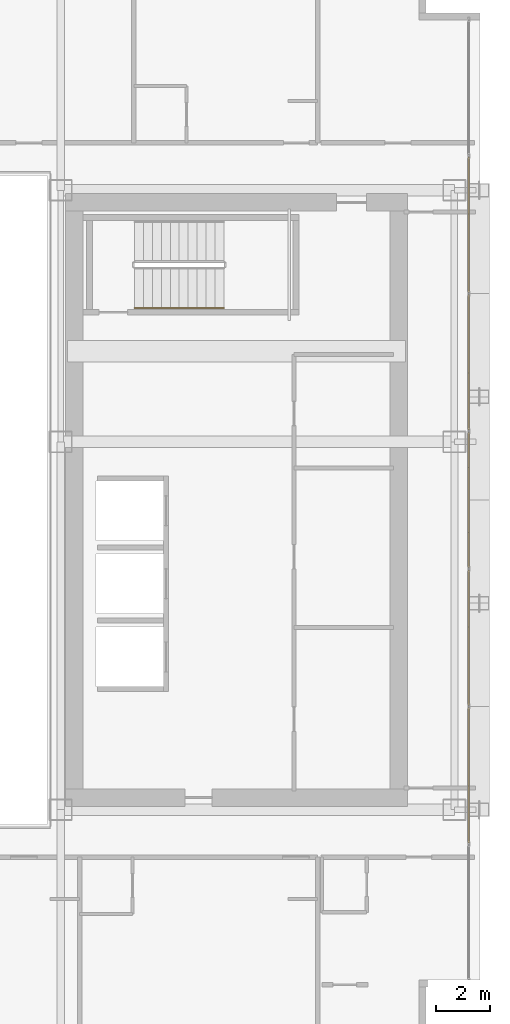
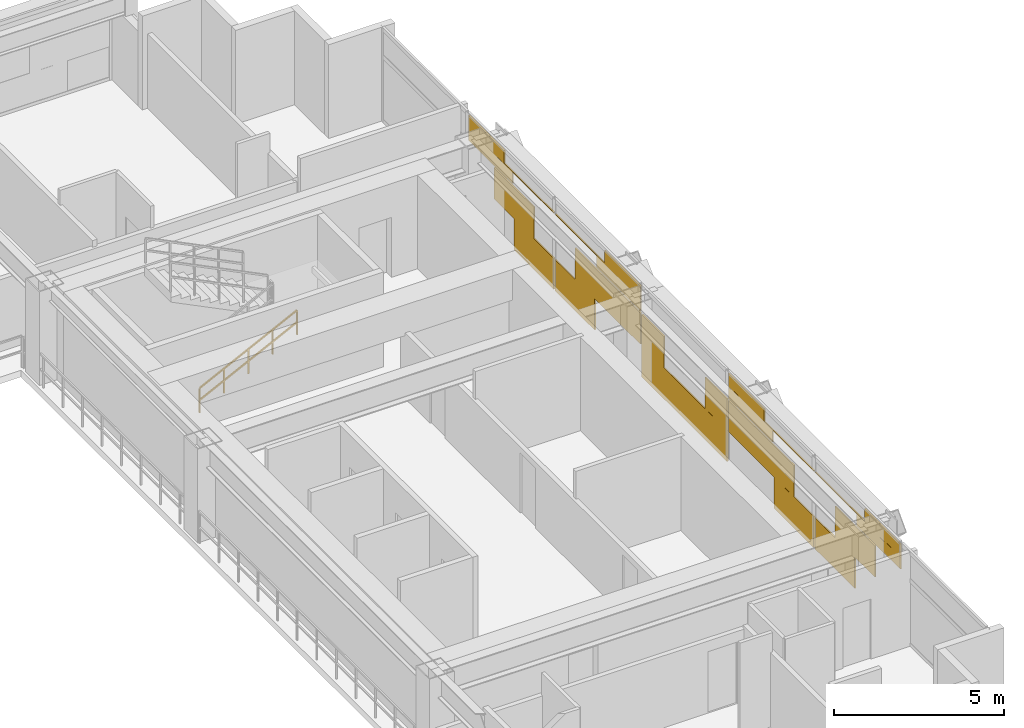
# One storey, part 34 of 35: 1 covering, 1 railing.
"""IFC4 building model written with IfcOpenShell, lengths in metres."""

from ifc_helpers import new_model, si_unit, direction, frame, origin, origin_2d, place, context, subcontext, project, spatial, rectangle, extrude, material, layer, layer_set, type_object, element, save


model = new_model("IFC4")

# Units and contexts
model_context = context("Model", 3, precision=1e-05, world=origin(), true_north=direction((0.0, 1.0)))
body_context = subcontext(model_context, "Body", "Model", "MODEL_VIEW")
ifc_project = project(units=[si_unit("LENGTHUNIT", "METRE"), si_unit("AREAUNIT", "SQUARE_METRE"), si_unit("VOLUMEUNIT", "CUBIC_METRE"), si_unit("PLANEANGLEUNIT", "RADIAN"), si_unit("MASSUNIT", "GRAM", prefix="KILO")], contexts=[model_context])

# Site, building, storey
site_placement = place(None, origin())
site = spatial("IfcSite", under=ifc_project, at=site_placement, CompositionType="ELEMENT")
building_placement = place(site_placement, origin())
building = spatial("IfcBuilding", under=site, at=building_placement, Name="Ocotamira Hotel", CompositionType="ELEMENT")
storey_placement = place(building_placement, frame((0.0, 0.0, 115.199951171875)))
storey = spatial("IfcBuildingStorey", under=building, at=storey_placement, Name="L28", CompositionType="ELEMENT", Elevation=115.199951171875)

# Covering
ifc_material_1 = material(Name="Insulated pale-metal aluminium spandrel panel", Category="aluminium")
ifc_layer = layer(ifc_material_1, 0.044921875)
ifc_layer_set = layer_set([ifc_layer], Name="Insulated pale-metal aluminium spandrel panel")
covering_type = type_object("IfcCoveringType", Name="COV-INFILL-45", PredefinedType="CLADDING", material=ifc_layer_set)
covering_placement = place(storey_placement, origin())
element("IfcCovering", 1, at=covering_placement, inside=storey, type_object=covering_type, Name="L28 Curtain Wall Infill CW-3 CW-L28-E", PredefinedType="CLADDING", context=body_context, shape_type="SweptSolid", body=[
    extrude(rectangle(XDim=2.35107421875, YDim=0.044921875, at=origin_2d()), frame((55.580078125, 15.988525390625, 1.1943359375), z_axis=(0.0, 0.0, 1.0), x_axis=(0.0, 1.0, 0.0)), (0.0, 0.0, 1.0), 1.117919921875),
    extrude(rectangle(XDim=2.331787109375, YDim=0.044921875, at=origin_2d()), frame((55.580078125, 17.1650390625, 0.07568359375), z_axis=(0.0, 0.0, 1.0), x_axis=(0.0, 1.0, 0.0)), (0.0, 0.0, 1.0), 1.11767578125),
    extrude(rectangle(XDim=2.572265625, YDim=0.044921875, at=origin_2d()), frame((55.580078125, 14.6123046875, 2.38818359375), z_axis=(0.0, 0.0, 1.0), x_axis=(0.0, 1.0, 0.0)), (0.0, 0.0, 1.0), 0.413330078125),
    extrude(rectangle(XDim=5.004638671875, YDim=0.044921875, at=origin_2d()), frame((55.580078125, 15.82861328125, 2.802490234375), z_axis=(0.0, 0.0, 1.0), x_axis=(0.0, 1.0, 0.0)), (0.0, 0.0, 1.0), 0.033203125),
    extrude(rectangle(XDim=2.096435546875, YDim=0.044921875, at=origin_2d()), frame((55.580078125, 14.37451171875, 2.836669921875), z_axis=(0.0, 0.0, 1.0), x_axis=(0.0, 1.0, 0.0)), (0.0, 0.0, 1.0), 0.44775390625),
    extrude(rectangle(XDim=2.322265625, YDim=0.044921875, at=origin_2d()), frame((55.580078125, 19.572998046875, 0.07568359375), z_axis=(0.0, 0.0, 1.0), x_axis=(0.0, 1.0, 0.0)), (0.0, 0.0, 1.0), 1.11767578125),
    extrude(rectangle(XDim=3.847412109375, YDim=0.044921875, at=origin_2d()), frame((55.580078125, 21.492919921875, 1.1943359375), z_axis=(0.0, 0.0, 1.0), x_axis=(0.0, 1.0, 0.0)), (0.0, 0.0, 1.0), 1.117919921875),
    extrude(rectangle(XDim=5.004638671875, YDim=0.044921875, at=origin_2d()), frame((55.580078125, 20.914306640625, 2.802490234375), z_axis=(0.0, 0.0, 1.0), x_axis=(0.0, 1.0, 0.0)), (0.0, 0.0, 1.0), 0.033203125),
    extrude(rectangle(XDim=2.581787109375, YDim=0.044921875, at=origin_2d()), frame((55.580078125, 22.125732421875, 2.38818359375), z_axis=(0.0, 0.0, 1.0), x_axis=(0.0, 1.0, 0.0)), (0.0, 0.0, 1.0), 0.413330078125),
    extrude(rectangle(XDim=2.106201171875, YDim=0.044921875, at=origin_2d()), frame((55.580078125, 22.363525390625, 2.836669921875), z_axis=(0.0, 0.0, 1.0), x_axis=(0.0, 1.0, 0.0)), (0.0, 0.0, 1.0), 0.44775390625),
    extrude(rectangle(XDim=5.004638671875, YDim=0.044921875, at=origin_2d()), frame((55.580078125, 26.0, 0.07568359375), z_axis=(0.0, 0.0, 1.0), x_axis=(0.0, 1.0, 0.0)), (0.0, 0.0, 1.0), 1.11767578125),
    extrude(rectangle(XDim=1.2998046875, YDim=0.044921875, at=origin_2d()), frame((55.580078125, 24.1474609375, 1.1943359375), z_axis=(0.0, 0.0, 1.0), x_axis=(0.0, 1.0, 0.0)), (0.0, 0.0, 1.0), 1.117919921875),
    extrude(rectangle(XDim=1.2998046875, YDim=0.044921875, at=origin_2d()), frame((55.580078125, 27.8525390625, 1.1943359375), z_axis=(0.0, 0.0, 1.0), x_axis=(0.0, 1.0, 0.0)), (0.0, 0.0, 1.0), 1.117919921875),
    extrude(rectangle(XDim=3.847412109375, YDim=0.044921875, at=origin_2d()), frame((55.580078125, 30.507080078125, 1.1943359375), z_axis=(0.0, 0.0, 1.0), x_axis=(0.0, 1.0, 0.0)), (0.0, 0.0, 1.0), 1.117919921875),
    extrude(rectangle(XDim=2.322265625, YDim=0.044921875, at=origin_2d()), frame((55.580078125, 32.427001953125, 0.07568359375), z_axis=(0.0, 0.0, 1.0), x_axis=(0.0, 1.0, 0.0)), (0.0, 0.0, 1.0), 1.11767578125),
    extrude(rectangle(XDim=2.581787109375, YDim=0.044921875, at=origin_2d()), frame((55.580078125, 29.874267578125, 2.38818359375), z_axis=(0.0, 0.0, 1.0), x_axis=(0.0, 1.0, 0.0)), (0.0, 0.0, 1.0), 0.413330078125),
    extrude(rectangle(XDim=5.004638671875, YDim=0.044921875, at=origin_2d()), frame((55.580078125, 31.085693359375, 2.802490234375), z_axis=(0.0, 0.0, 1.0), x_axis=(0.0, 1.0, 0.0)), (0.0, 0.0, 1.0), 0.033203125),
    extrude(rectangle(XDim=2.106201171875, YDim=0.044921875, at=origin_2d()), frame((55.580078125, 29.636474609375, 2.836669921875), z_axis=(0.0, 0.0, 1.0), x_axis=(0.0, 1.0, 0.0)), (0.0, 0.0, 1.0), 0.44775390625),
    extrude(rectangle(XDim=2.331787109375, YDim=0.044921875, at=origin_2d()), frame((55.580078125, 34.8349609375, 0.07568359375), z_axis=(0.0, 0.0, 1.0), x_axis=(0.0, 1.0, 0.0)), (0.0, 0.0, 1.0), 1.11767578125),
    extrude(rectangle(XDim=2.35107421875, YDim=0.044921875, at=origin_2d()), frame((55.580078125, 36.011474609375, 1.1943359375), z_axis=(0.0, 0.0, 1.0), x_axis=(0.0, 1.0, 0.0)), (0.0, 0.0, 1.0), 1.117919921875),
    extrude(rectangle(XDim=5.004638671875, YDim=0.044921875, at=origin_2d()), frame((55.580078125, 36.17138671875, 2.802490234375), z_axis=(0.0, 0.0, 1.0), x_axis=(0.0, 1.0, 0.0)), (0.0, 0.0, 1.0), 0.033203125),
    extrude(rectangle(XDim=2.572265625, YDim=0.044921875, at=origin_2d()), frame((55.580078125, 37.3876953125, 2.38818359375), z_axis=(0.0, 0.0, 1.0), x_axis=(0.0, 1.0, 0.0)), (0.0, 0.0, 1.0), 0.413330078125),
    extrude(rectangle(XDim=2.096435546875, YDim=0.044921875, at=origin_2d()), frame((55.580078125, 37.62548828125, 2.836669921875), z_axis=(0.0, 0.0, 1.0), x_axis=(0.0, 1.0, 0.0)), (0.0, 0.0, 1.0), 0.44775390625),
])

# Railing
ifc_material_2 = material(Name="Brushed stainless steel handrail", Category="steel")
railing_type = type_object("IfcRailingType", Name="RL-HAND-900", PredefinedType="HANDRAIL", material=ifc_material_2)
railing_placement = place(storey_placement, frame((43.22998046875, 33.10009765625, 0.327392578125)))
element("IfcRailing", 2, at=railing_placement, inside=storey, type_object=railing_type, Name="L28 ST-4 stair handrail 1", PredefinedType="HANDRAIL", context=body_context, shape_type="SweptSolid", body=[
    extrude(rectangle(XDim=0.048095703125, YDim=0.048095703125, at=origin_2d()), frame((0.0, 0.0, 0.8759765625), z_axis=(0.895920123917, 0.0, 0.444215186098), x_axis=(0.0, 1.0, 0.0)), (0.0, 0.0, 1.0), 3.683349609375),
    extrude(rectangle(XDim=0.048095703125, YDim=0.048095703125, at=origin_2d()), frame((0.0, 0.0, 0.449951171875), z_axis=(0.895920123917, 0.0, 0.444215186098), x_axis=(0.0, 1.0, 0.0)), (0.0, 0.0, 1.0), 3.683349609375),
    extrude(rectangle(XDim=0.0419921875, YDim=0.0419921875, at=origin_2d()), origin(), (0.0, 0.0, 1.0), 0.851806640625),
    extrude(rectangle(XDim=0.0419921875, YDim=0.0419921875, at=origin_2d()), frame((0.824951171875, 0.0, 0.4091796875)), (0.0, 0.0, 1.0), 0.851806640625),
    extrude(rectangle(XDim=0.0419921875, YDim=0.0419921875, at=origin_2d()), frame((1.64990234375, 0.0, 0.818115234375)), (0.0, 0.0, 1.0), 0.851806640625),
    extrude(rectangle(XDim=0.0419921875, YDim=0.0419921875, at=origin_2d()), frame((2.47509765625, 0.0, 1.22705078125)), (0.0, 0.0, 1.0), 0.851806640625),
    extrude(rectangle(XDim=0.0419921875, YDim=0.0419921875, at=origin_2d()), frame((3.300048828125, 0.0, 1.63623046875)), (0.0, 0.0, 1.0), 0.851806640625),
])

save(model, "model.ifc")
